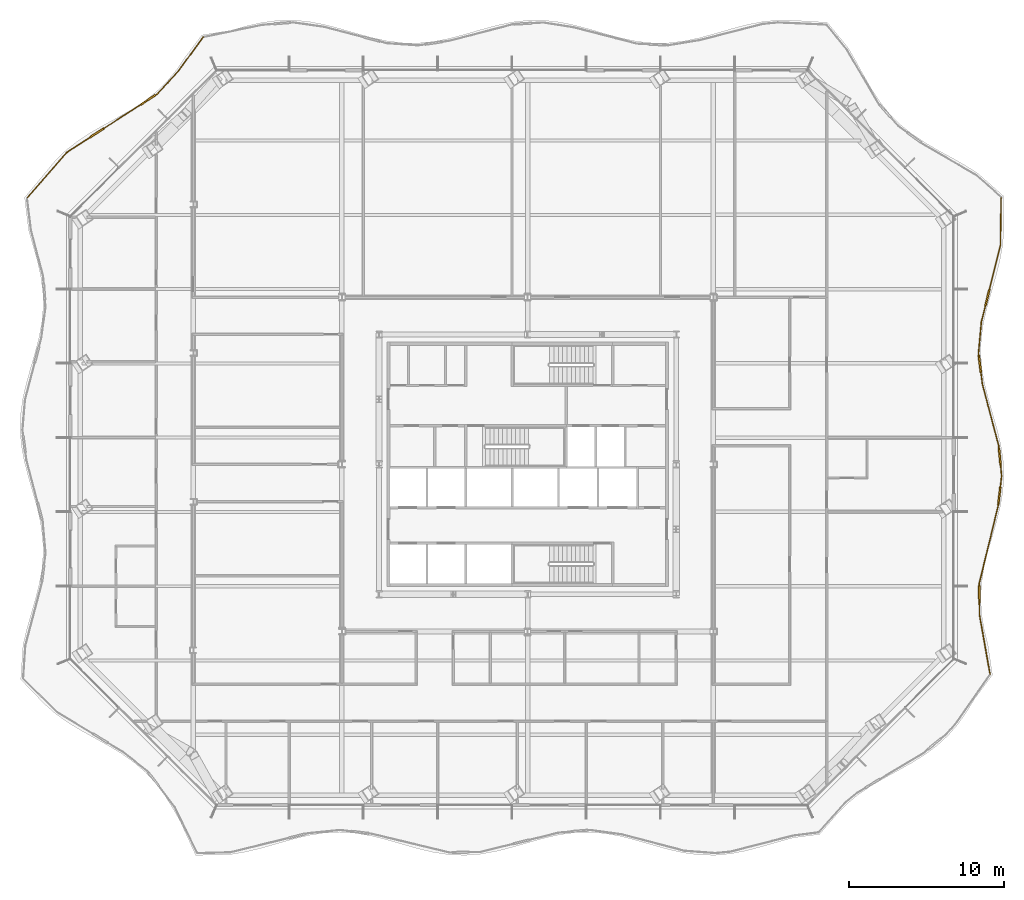
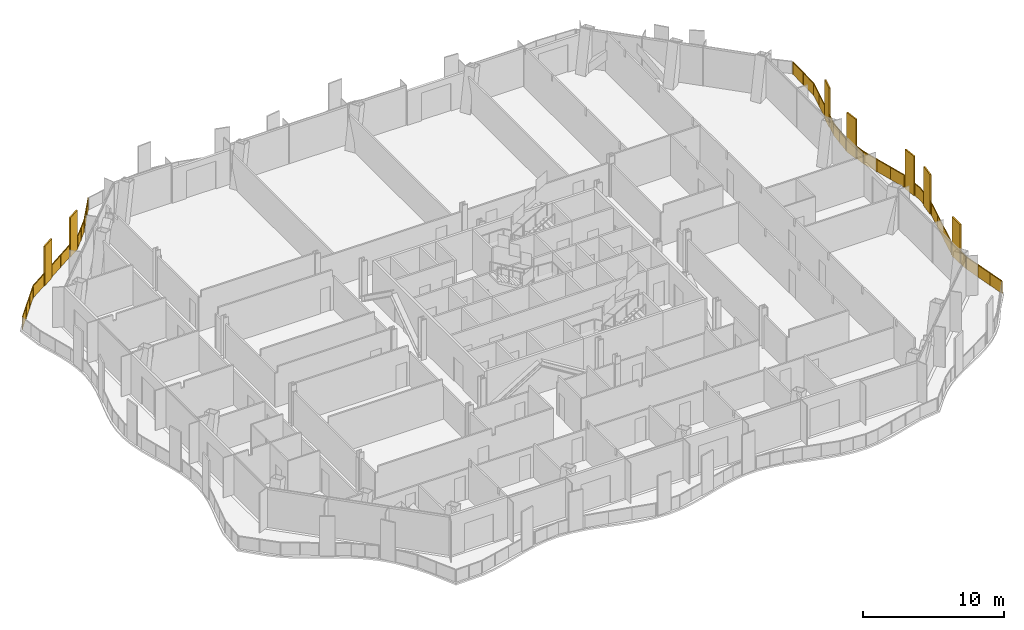
# One storey, part 19 of 21: 2 railings.
"""IFC4 building model written with IfcOpenShell, lengths in metres."""

from ifc_helpers import new_model, si_unit, direction, frame, origin, origin_2d, place, context, subcontext, project, spatial, polyline, rectangle, outline, extrude, material, type_object, element, save


model = new_model("IFC4")

# Units and contexts
model_context = context("Model", 3, precision=1e-05, world=origin(), true_north=direction((0.0, 1.0)))
body_context = subcontext(model_context, "Body", "Model", "MODEL_VIEW")
ifc_project = project(units=[si_unit("LENGTHUNIT", "METRE"), si_unit("AREAUNIT", "SQUARE_METRE"), si_unit("VOLUMEUNIT", "CUBIC_METRE"), si_unit("PLANEANGLEUNIT", "RADIAN"), si_unit("MASSUNIT", "GRAM", prefix="KILO")], contexts=[model_context])

# Site, building, storey
site_placement = place(None, origin())
site = spatial("IfcSite", under=ifc_project, at=site_placement, CompositionType="ELEMENT")
building_placement = place(site_placement, origin())
building = spatial("IfcBuilding", under=site, at=building_placement, Name="Cairn Pilgrim Tower", CompositionType="ELEMENT")
storey_placement = place(building_placement, frame((0.0, 0.0, 108.60009765625)))
storey = spatial("IfcBuildingStorey", under=building, at=storey_placement, Name="L26", CompositionType="ELEMENT", Elevation=108.60009765625)

# Railings
ifc_material = material(Name="Bronze anodised aluminium rail, posts and fin screens with laminated glass infill", Category="aluminium")
railing_type = type_object("IfcRailingType", Name="BALCONY GUARD WITH FIN SCREENS", PredefinedType="GUARDRAIL", material=ifc_material)
railing_1_placement = place(storey_placement, frame((37.090087890625, -11.172119140625, 0.0)))
element("IfcRailing", 1, at=railing_1_placement, inside=storey, type_object=railing_type, Name="Balcony guard BGF-3 with fin screens", PredefinedType="GUARDRAIL", context=body_context, shape_type="SweptSolid", body=[
    extrude(rectangle(XDim=0.050048828125, YDim=0.050048828125, at=origin_2d()), frame((0.0, 0.0, 1.0751953125), z_axis=(-0.17480693938, 0.984602728995, 0.0), x_axis=(-0.984602728995, -0.17480693938, 0.0)), (0.0, 0.0, 1.0), 3.926025390625),
    extrude(rectangle(XDim=1.10009765625, YDim=0.110107421875, at=origin_2d()), frame((-0.69384765625, 5.182861328125, 0.0), z_axis=(0.0, 0.0, 1.0), x_axis=(-0.005687226512, 0.999983827597, 0.0)), (0.0, 0.0, 1.0), 3.39990234375),
    extrude(rectangle(XDim=0.050048828125, YDim=0.050048828125, at=origin_2d()), frame((-0.686279296875, 3.865478515625, 1.0751953125), z_axis=(-0.005687226512, 0.999983827597, 0.0), x_axis=(-0.999983827597, -0.005687226512, 0.0)), (0.0, 0.0, 1.0), 0.767578125),
    extrude(rectangle(XDim=0.050048828125, YDim=0.050048828125, at=origin_2d()), frame((-0.697021484375, 5.73291015625, 1.0751953125), z_axis=(-0.005687226512, 0.999983827597, 0.0), x_axis=(-0.999983827597, -0.005687226512, 0.0)), (0.0, 0.0, 1.0), 0.150146484375),
    extrude(rectangle(XDim=0.050048828125, YDim=0.050048828125, at=origin_2d()), frame((-0.69775390625, 5.883056640625, 1.0751953125), z_axis=(0.236742126604, 0.971572521992, 0.0), x_axis=(-0.971572521992, 0.236742126604, 0.0)), (0.0, 0.0, 1.0), 5.1201171875),
    extrude(rectangle(XDim=1.10009765625, YDim=0.110107421875, at=origin_2d()), frame((0.597900390625, 11.552734375, 0.0), z_axis=(0.0, 0.0, 1.0), x_axis=(0.119271936699, 0.992861624355, 0.0)), (0.0, 0.0, 1.0), 3.39990234375),
    extrude(rectangle(XDim=0.050048828125, YDim=0.050048828125, at=origin_2d()), frame((0.514404296875, 10.857666015625, 1.0751953125), z_axis=(0.119271936699, 0.992861624355, 0.0), x_axis=(-0.992861624355, 0.119271936699, 0.0)), (0.0, 0.0, 1.0), 0.14990234375),
    extrude(rectangle(XDim=0.050048828125, YDim=0.050048828125, at=origin_2d()), frame((0.66357421875, 12.0986328125, 1.0751953125), z_axis=(0.119271936699, 0.992861624355, 0.0), x_axis=(-0.992861624355, 0.119271936699, 0.0)), (0.0, 0.0, 1.0), 0.725341796875),
    extrude(rectangle(XDim=1.10009765625, YDim=0.110107421875, at=origin_2d()), frame((0.62646484375, 14.079833984375, 0.0), z_axis=(0.0, 0.0, 1.0), x_axis=(-0.097549730914, 0.995230651657, 0.0)), (0.0, 0.0, 1.0), 3.39990234375),
    extrude(rectangle(XDim=0.050048828125, YDim=0.050048828125, at=origin_2d()), frame((0.75, 12.81884765625, 1.0751953125), z_axis=(-0.097549730914, 0.995230651657, 0.0), x_axis=(-0.995230651657, -0.097549730914, 0.0)), (0.0, 0.0, 1.0), 0.717041015625),
    extrude(rectangle(XDim=0.050048828125, YDim=0.050048828125, at=origin_2d()), frame((0.57275390625, 14.627197265625, 1.0751953125), z_axis=(-0.097549730914, 0.995230651657, 0.0), x_axis=(-0.995230651657, -0.097549730914, 0.0)), (0.0, 0.0, 1.0), 0.150146484375),
    extrude(rectangle(XDim=0.050048828125, YDim=0.050048828125, at=origin_2d()), frame((0.55810546875, 14.776611328125, 1.0751953125), z_axis=(-0.256286245796, 0.96660093121, 0.0), x_axis=(-0.96660093121, -0.256286245796, 0.0)), (0.0, 0.0, 1.0), 4.107666015625),
    extrude(rectangle(XDim=1.10009765625, YDim=0.110107421875, at=origin_2d()), frame((-0.660400390625, 20.06494140625, 0.0), z_axis=(0.0, 0.0, 1.0), x_axis=(-0.124819854402, 0.992179421248, 0.0)), (0.0, 0.0, 1.0), 3.39990234375),
    extrude(rectangle(XDim=0.050048828125, YDim=0.050048828125, at=origin_2d()), frame((-0.49462890625, 18.7470703125, 1.0751953125), z_axis=(-0.124819854402, 0.992179421248, 0.0), x_axis=(-0.992179421248, -0.124819854402, 0.0)), (0.0, 0.0, 1.0), 0.7783203125),
    extrude(rectangle(XDim=0.050048828125, YDim=0.050048828125, at=origin_2d()), frame((-0.72900390625, 20.610595703125, 1.0751953125), z_axis=(-0.124819854402, 0.992179421248, 0.0), x_axis=(-0.992179421248, -0.124819854402, 0.0)), (0.0, 0.0, 1.0), 0.150146484375),
    extrude(rectangle(XDim=0.050048828125, YDim=0.050048828125, at=origin_2d()), frame((-0.747802734375, 20.759521484375, 1.0751953125), z_axis=(0.091754854, 0.995781626044, 0.0), x_axis=(-0.995781626044, 0.091754854, 0.0)), (0.0, 0.0, 1.0), 2.022216796875),
    extrude(rectangle(XDim=1.10009765625, YDim=0.110107421875, at=origin_2d()), frame((-0.168701171875, 24.35888671875, 0.0), z_axis=(0.0, 0.0, 1.0), x_axis=(0.240871642741, 0.970556980153, 0.0)), (0.0, 0.0, 1.0), 3.39990234375),
    extrude(rectangle(XDim=0.050048828125, YDim=0.050048828125, at=origin_2d()), frame((-0.562255859375, 22.773193359375, 1.0751953125), z_axis=(0.240871642741, 0.970556980153, 0.0), x_axis=(-0.970556980153, 0.240871642741, 0.0)), (0.0, 0.0, 1.0), 1.083740234375),
    extrude(rectangle(XDim=0.050048828125, YDim=0.050048828125, at=origin_2d()), frame((-0.036376953125, 24.892578125, 1.0751953125), z_axis=(0.240871642741, 0.970556980153, 0.0), x_axis=(-0.970556980153, 0.240871642741, 0.0)), (0.0, 0.0, 1.0), 2.9267578125),
    extrude(rectangle(XDim=0.050048828125, YDim=0.050048828125, at=origin_2d()), frame((0.668701171875, 27.733154296875, 1.0751953125), z_axis=(0.015116032128, 0.999885746259, 0.0), x_axis=(-0.999885746259, 0.015116032128, 0.0)), (0.0, 0.0, 1.0), 3.068603515625),
    extrude(rectangle(XDim=0.050048828125, YDim=0.050048828125, at=origin_2d()), origin(), (0.0, 0.0, 1.0), 1.050048828125),
    extrude(rectangle(XDim=0.050048828125, YDim=0.050048828125, at=origin_2d()), frame((-0.228759765625, 1.28857421875, 0.0)), (0.0, 0.0, 1.0), 1.050048828125),
    extrude(rectangle(XDim=0.050048828125, YDim=0.050048828125, at=origin_2d()), frame((-0.45751953125, 2.576904296875, 0.0)), (0.0, 0.0, 1.0), 1.050048828125),
    extrude(rectangle(XDim=0.050048828125, YDim=0.050048828125, at=origin_2d()), frame((-0.686279296875, 3.865478515625, 0.0)), (0.0, 0.0, 1.0), 1.050048828125),
    extrude(rectangle(XDim=0.050048828125, YDim=0.050048828125, at=origin_2d()), frame((-0.6904296875, 4.60791015625, 0.0)), (0.0, 0.0, 1.0), 1.050048828125),
    extrude(rectangle(XDim=0.050048828125, YDim=0.050048828125, at=origin_2d()), frame((-0.697021484375, 5.758056640625, 0.0)), (0.0, 0.0, 1.0), 1.050048828125),
    extrude(rectangle(XDim=0.050048828125, YDim=0.050048828125, at=origin_2d()), frame((-0.69775390625, 5.883056640625, 0.0)), (0.0, 0.0, 1.0), 1.050048828125),
    extrude(rectangle(XDim=0.050048828125, YDim=0.050048828125, at=origin_2d()), frame((-0.293701171875, 7.541259765625, 0.0)), (0.0, 0.0, 1.0), 1.050048828125),
    extrude(rectangle(XDim=0.050048828125, YDim=0.050048828125, at=origin_2d()), frame((0.1103515625, 9.199462890625, 0.0)), (0.0, 0.0, 1.0), 1.050048828125),
    extrude(rectangle(XDim=0.050048828125, YDim=0.050048828125, at=origin_2d()), frame((0.514404296875, 10.857666015625, 0.0)), (0.0, 0.0, 1.0), 1.050048828125),
    extrude(rectangle(XDim=0.050048828125, YDim=0.050048828125, at=origin_2d()), frame((0.529296875, 10.981689453125, 0.0)), (0.0, 0.0, 1.0), 1.050048828125),
    extrude(rectangle(XDim=0.050048828125, YDim=0.050048828125, at=origin_2d()), frame((0.66650390625, 12.12353515625, 0.0)), (0.0, 0.0, 1.0), 1.050048828125),
    extrude(rectangle(XDim=0.050048828125, YDim=0.050048828125, at=origin_2d()), frame((0.75, 12.81884765625, 0.0)), (0.0, 0.0, 1.0), 1.050048828125),
    extrude(rectangle(XDim=0.050048828125, YDim=0.050048828125, at=origin_2d()), frame((0.6826171875, 13.507568359375, 0.0)), (0.0, 0.0, 1.0), 1.050048828125),
    extrude(rectangle(XDim=0.050048828125, YDim=0.050048828125, at=origin_2d()), frame((0.5703125, 14.652099609375, 0.0)), (0.0, 0.0, 1.0), 1.050048828125),
    extrude(rectangle(XDim=0.050048828125, YDim=0.050048828125, at=origin_2d()), frame((0.55810546875, 14.776611328125, 0.0)), (0.0, 0.0, 1.0), 1.050048828125),
    extrude(rectangle(XDim=0.050048828125, YDim=0.050048828125, at=origin_2d()), frame((0.207275390625, 16.10009765625, 0.0)), (0.0, 0.0, 1.0), 1.050048828125),
    extrude(rectangle(XDim=0.050048828125, YDim=0.050048828125, at=origin_2d()), frame((-0.143798828125, 17.423583984375, 0.0)), (0.0, 0.0, 1.0), 1.050048828125),
    extrude(rectangle(XDim=0.050048828125, YDim=0.050048828125, at=origin_2d()), frame((-0.49462890625, 18.7470703125, 0.0)), (0.0, 0.0, 1.0), 1.050048828125),
    extrude(rectangle(XDim=0.050048828125, YDim=0.050048828125, at=origin_2d()), frame((-0.588623046875, 19.494384765625, 0.0)), (0.0, 0.0, 1.0), 1.050048828125),
    extrude(rectangle(XDim=0.050048828125, YDim=0.050048828125, at=origin_2d()), frame((-0.732177734375, 20.635498046875, 0.0)), (0.0, 0.0, 1.0), 1.050048828125),
    extrude(rectangle(XDim=0.050048828125, YDim=0.050048828125, at=origin_2d()), frame((-0.747802734375, 20.759521484375, 0.0)), (0.0, 0.0, 1.0), 1.050048828125),
    extrude(rectangle(XDim=0.050048828125, YDim=0.050048828125, at=origin_2d()), frame((-0.655029296875, 21.766357421875, 0.0)), (0.0, 0.0, 1.0), 1.050048828125),
    extrude(rectangle(XDim=0.050048828125, YDim=0.050048828125, at=origin_2d()), frame((-0.562255859375, 22.773193359375, 0.0)), (0.0, 0.0, 1.0), 1.050048828125),
    extrude(rectangle(XDim=0.050048828125, YDim=0.050048828125, at=origin_2d()), frame((-0.30712890625, 23.80078125, 0.0)), (0.0, 0.0, 1.0), 1.050048828125),
    extrude(rectangle(XDim=0.050048828125, YDim=0.050048828125, at=origin_2d()), frame((-0.0302734375, 24.9169921875, 0.0)), (0.0, 0.0, 1.0), 1.050048828125),
    extrude(rectangle(XDim=0.050048828125, YDim=0.050048828125, at=origin_2d()), frame((0.3193359375, 26.324951171875, 0.0)), (0.0, 0.0, 1.0), 1.050048828125),
    extrude(rectangle(XDim=0.050048828125, YDim=0.050048828125, at=origin_2d()), frame((0.668701171875, 27.733154296875, 0.0)), (0.0, 0.0, 1.0), 1.050048828125),
    extrude(rectangle(XDim=0.050048828125, YDim=0.050048828125, at=origin_2d()), frame((0.69189453125, 29.267333984375, 0.0)), (0.0, 0.0, 1.0), 1.050048828125),
    extrude(rectangle(XDim=0.050048828125, YDim=0.050048828125, at=origin_2d()), frame((0.715087890625, 30.801513671875, 0.0)), (0.0, 0.0, 1.0), 1.050048828125),
    extrude(outline(polyline([(0.02490234375, 0.0), (1.28369140625, 0.0), (1.28369140625, 1.050048828125), (0.02490234375, 1.050048828125), (0.02490234375, 0.0)])), frame((-0.005859375, -0.0009765625, 0.0), z_axis=(0.984602728995, 0.17480693938, 0.0), x_axis=(-0.17480693938, 0.984602728995, 0.0)), (0.0, 0.0, 1.0), 0.011962890625),
    extrude(outline(polyline([(0.02490234375, 0.0), (1.28369140625, 0.0), (1.28369140625, 1.050048828125), (0.02490234375, 1.050048828125), (0.02490234375, 0.0)])), frame((-0.234619140625, 1.287353515625, 0.0), z_axis=(0.984602728995, 0.17480693938, 0.0), x_axis=(-0.17480693938, 0.984602728995, 0.0)), (0.0, 0.0, 1.0), 0.011962890625),
    extrude(outline(polyline([(0.02490234375, 0.0), (1.28369140625, 0.0), (1.28369140625, 1.050048828125), (0.02490234375, 1.050048828125), (0.02490234375, 0.0)])), frame((-0.46337890625, 2.575927734375, 0.0), z_axis=(0.984602728995, 0.17480693938, 0.0), x_axis=(-0.17480693938, 0.984602728995, 0.0)), (0.0, 0.0, 1.0), 0.011962890625),
    extrude(outline(polyline([(0.02490234375, 0.0), (0.717529296875, 0.0), (0.717529296875, 1.050048828125), (0.02490234375, 1.050048828125), (0.02490234375, 0.0)])), frame((-0.692138671875, 3.865478515625, 0.0), z_axis=(0.999983827597, 0.005687226512, 0.0), x_axis=(-0.005687226512, 0.999983827597, 0.0)), (0.0, 0.0, 1.0), 0.011962890625),
    extrude(outline(polyline([(0.02490234375, 0.0), (0.10009765625, 0.0), (0.10009765625, 1.050048828125), (0.02490234375, 1.050048828125), (0.02490234375, 0.0)])), frame((-0.703125, 5.7578125, 0.0), z_axis=(0.999983827597, 0.005687226512, 0.0), x_axis=(-0.005687226512, 0.999983827597, 0.0)), (0.0, 0.0, 1.0), 0.011962890625),
    extrude(outline(polyline([(0.02490234375, 0.0), (1.681640625, 0.0), (1.681640625, 1.050048828125), (0.02490234375, 1.050048828125), (0.02490234375, 0.0)])), frame((-0.70361328125, 5.884521484375, 0.0), z_axis=(0.971572521992, -0.236742126604, 0.0), x_axis=(0.236742126604, 0.971572521992, 0.0)), (0.0, 0.0, 1.0), 0.011962890625),
    extrude(outline(polyline([(0.02490234375, 0.0), (1.681640625, 0.0), (1.681640625, 1.050048828125), (0.02490234375, 1.050048828125), (0.02490234375, 0.0)])), frame((-0.299560546875, 7.542724609375, 0.0), z_axis=(0.971572521992, -0.236742126604, 0.0), x_axis=(0.236742126604, 0.971572521992, 0.0)), (0.0, 0.0, 1.0), 0.011962890625),
    extrude(outline(polyline([(0.02490234375, 0.0), (1.681640625, 0.0), (1.681640625, 1.050048828125), (0.02490234375, 1.050048828125), (0.02490234375, 0.0)])), frame((0.1044921875, 9.200927734375, 0.0), z_axis=(0.971572521992, -0.236742126604, 0.0), x_axis=(0.236742126604, 0.971572521992, 0.0)), (0.0, 0.0, 1.0), 0.011962890625),
    extrude(outline(polyline([(0.02490234375, 0.0), (0.099853515625, 0.0), (0.099853515625, 1.050048828125), (0.02490234375, 1.050048828125), (0.02490234375, 0.0)])), frame((0.508544921875, 10.8583984375, 0.0), z_axis=(0.992861624355, -0.119271936699, 0.0), x_axis=(0.119271936699, 0.992861624355, 0.0)), (0.0, 0.0, 1.0), 0.011962890625),
    extrude(outline(polyline([(0.02490234375, 0.0), (0.67529296875, 0.0), (0.67529296875, 1.050048828125), (0.02490234375, 1.050048828125), (0.02490234375, 0.0)])), frame((0.66064453125, 12.124267578125, 0.0), z_axis=(0.992861624355, -0.119271936699, 0.0), x_axis=(0.119271936699, 0.992861624355, 0.0)), (0.0, 0.0, 1.0), 0.011962890625),
    extrude(outline(polyline([(0.02490234375, 0.0), (0.6669921875, 0.0), (0.6669921875, 1.050048828125), (0.02490234375, 1.050048828125), (0.02490234375, 0.0)])), frame((0.744140625, 12.818359375, 0.0), z_axis=(0.995230651657, 0.097549730914, 0.0), x_axis=(-0.097549730914, 0.995230651657, 0.0)), (0.0, 0.0, 1.0), 0.011962890625),
    extrude(outline(polyline([(0.02490234375, 0.0), (0.10009765625, 0.0), (0.10009765625, 1.050048828125), (0.02490234375, 1.050048828125), (0.02490234375, 0.0)])), frame((0.564453125, 14.651611328125, 0.0), z_axis=(0.995230651657, 0.097549730914, 0.0), x_axis=(-0.097549730914, 0.995230651657, 0.0)), (0.0, 0.0, 1.0), 0.011962890625),
    extrude(outline(polyline([(0.02490234375, 0.0), (1.34423828125, 0.0), (1.34423828125, 1.050048828125), (0.02490234375, 1.050048828125), (0.02490234375, 0.0)])), frame((0.55224609375, 14.775146484375, 0.0), z_axis=(0.96660093121, 0.256286245796, 0.0), x_axis=(-0.256286245796, 0.96660093121, 0.0)), (0.0, 0.0, 1.0), 0.011962890625),
    extrude(outline(polyline([(0.02490234375, 0.0), (1.34423828125, 0.0), (1.34423828125, 1.050048828125), (0.02490234375, 1.050048828125), (0.02490234375, 0.0)])), frame((0.201416015625, 16.0986328125, 0.0), z_axis=(0.96660093121, 0.256286245796, 0.0), x_axis=(-0.256286245796, 0.96660093121, 0.0)), (0.0, 0.0, 1.0), 0.011962890625),
    extrude(outline(polyline([(0.02490234375, 0.0), (1.34423828125, 0.0), (1.34423828125, 1.050048828125), (0.02490234375, 1.050048828125), (0.02490234375, 0.0)])), frame((-0.1494140625, 17.422119140625, 0.0), z_axis=(0.96660093121, 0.256286245796, 0.0), x_axis=(-0.256286245796, 0.96660093121, 0.0)), (0.0, 0.0, 1.0), 0.011962890625),
    extrude(outline(polyline([(0.02490234375, 0.0), (0.728271484375, 0.0), (0.728271484375, 1.050048828125), (0.02490234375, 1.050048828125), (0.02490234375, 0.0)])), frame((-0.50048828125, 18.746337890625, 0.0), z_axis=(0.992179421248, 0.124819854402, 0.0), x_axis=(-0.124819854402, 0.992179421248, 0.0)), (0.0, 0.0, 1.0), 0.011962890625),
    extrude(outline(polyline([(0.02490234375, 0.0), (0.10009765625, 0.0), (0.10009765625, 1.050048828125), (0.02490234375, 1.050048828125), (0.02490234375, 0.0)])), frame((-0.738037109375, 20.634765625, 0.0), z_axis=(0.992179421248, 0.124819854402, 0.0), x_axis=(-0.124819854402, 0.992179421248, 0.0)), (0.0, 0.0, 1.0), 0.011962890625),
    extrude(outline(polyline([(0.02490234375, 0.0), (0.986083984375, 0.0), (0.986083984375, 1.050048828125), (0.02490234375, 1.050048828125), (0.02490234375, 0.0)])), frame((-0.753662109375, 20.760009765625, 0.0), z_axis=(0.995781626044, -0.091754854, 0.0), x_axis=(0.091754854, 0.995781626044, 0.0)), (0.0, 0.0, 1.0), 0.011962890625),
    extrude(outline(polyline([(0.02490234375, 0.0), (0.986083984375, 0.0), (0.986083984375, 1.050048828125), (0.02490234375, 1.050048828125), (0.02490234375, 0.0)])), frame((-0.660888671875, 21.766845703125, 0.0), z_axis=(0.995781626044, -0.091754854, 0.0), x_axis=(0.091754854, 0.995781626044, 0.0)), (0.0, 0.0, 1.0), 0.011962890625),
    extrude(outline(polyline([(0.02490234375, 0.0), (1.03369140625, 0.0), (1.03369140625, 1.050048828125), (0.02490234375, 1.050048828125), (0.02490234375, 0.0)])), frame((-0.568115234375, 22.774658203125, 0.0), z_axis=(0.970556980153, -0.240871642741, 0.0), x_axis=(0.240871642741, 0.970556980153, 0.0)), (0.0, 0.0, 1.0), 0.011962890625),
    extrude(outline(polyline([(0.02490234375, 0.0), (1.42578125, 0.0), (1.42578125, 1.050048828125), (0.02490234375, 1.050048828125), (0.02490234375, 0.0)])), frame((-0.0361328125, 24.918212890625, 0.0), z_axis=(0.970556980153, -0.240871642741, 0.0), x_axis=(0.240871642741, 0.970556980153, 0.0)), (0.0, 0.0, 1.0), 0.011962890625),
    extrude(outline(polyline([(0.02490234375, 0.0), (1.42578125, 0.0), (1.42578125, 1.050048828125), (0.02490234375, 1.050048828125), (0.02490234375, 0.0)])), frame((0.3134765625, 26.326416015625, 0.0), z_axis=(0.970556980153, -0.240871642741, 0.0), x_axis=(0.240871642741, 0.970556980153, 0.0)), (0.0, 0.0, 1.0), 0.011962890625),
    extrude(outline(polyline([(0.02490234375, 0.0), (1.50927734375, 0.0), (1.50927734375, 1.050048828125), (0.02490234375, 1.050048828125), (0.02490234375, 0.0)])), frame((0.662841796875, 27.733154296875, 0.0), z_axis=(0.999885746259, -0.015116032128, 0.0), x_axis=(0.015116032128, 0.999885746259, 0.0)), (0.0, 0.0, 1.0), 0.011962890625),
    extrude(outline(polyline([(0.02490234375, 0.0), (1.50927734375, 0.0), (1.50927734375, 1.050048828125), (0.02490234375, 1.050048828125), (0.02490234375, 0.0)])), frame((0.68603515625, 29.267333984375, 0.0), z_axis=(0.999885746259, -0.015116032128, 0.0), x_axis=(0.015116032128, 0.999885746259, 0.0)), (0.0, 0.0, 1.0), 0.011962890625),
])
railing_2_placement = place(storey_placement, frame((-13.7626953125, 30.024169921875, 0.0)))
element("IfcRailing", 2, at=railing_2_placement, inside=storey, type_object=railing_type, Name="Balcony guard BGF-6 with fin screens", PredefinedType="GUARDRAIL", context=body_context, shape_type="SweptSolid", body=[
    extrude(rectangle(XDim=0.050048828125, YDim=0.050048828125, at=origin_2d()), frame((0.0, 0.0, 1.0751953125), z_axis=(-0.589383446696, -0.807853422819, 0.0), x_axis=(0.807853422819, -0.589383446696, 0.0)), (0.0, 0.0, 1.0), 2.765869140625),
    extrude(rectangle(XDim=0.050048828125, YDim=0.050048828125, at=origin_2d()), frame((-1.630126953125, -2.234375, 1.0751953125), z_axis=(-0.679746766572, -0.733446885149, 0.0), x_axis=(0.733446885149, -0.679746766572, 0.0)), (0.0, 0.0, 1.0), 1.968505859375),
    extrude(rectangle(XDim=1.10009765625, YDim=0.110107421875, at=origin_2d()), frame((-3.555908203125, -4.05810546875, 0.0), z_axis=(0.0, 0.0, 1.0), x_axis=(-0.8398031786, -0.54289098465, 0.0)), (0.0, 0.0, 1.0), 3.39990234375),
    extrude(rectangle(XDim=1.10009765625, YDim=0.110107421875, at=origin_2d()), frame((-6.8896484375, -6.213134765625, 0.0), z_axis=(0.0, 0.0, 1.0), x_axis=(-0.8398031786, -0.54289098465, 0.0)), (0.0, 0.0, 1.0), 3.39990234375),
    extrude(rectangle(XDim=0.050048828125, YDim=0.050048828125, at=origin_2d()), frame((-2.96826171875, -3.67822265625, 1.0751953125), z_axis=(-0.8398031786, -0.54289098465, 0.0), x_axis=(0.54289098465, -0.8398031786, 0.0)), (0.0, 0.0, 1.0), 0.14990234375),
    extrude(rectangle(XDim=0.050048828125, YDim=0.050048828125, at=origin_2d()), frame((-4.017822265625, -4.356689453125, 1.0751953125), z_axis=(-0.8398031786, -0.54289098465, 0.0), x_axis=(0.54289098465, -0.8398031786, 0.0)), (0.0, 0.0, 1.0), 2.869384765625),
    extrude(rectangle(XDim=0.050048828125, YDim=0.050048828125, at=origin_2d()), frame((-7.3515625, -6.51171875, 1.0751953125), z_axis=(-0.8398031786, -0.54289098465, 0.0), x_axis=(0.54289098465, -0.8398031786, 0.0)), (0.0, 0.0, 1.0), 1.721435546875),
    extrude(rectangle(XDim=0.050048828125, YDim=0.050048828125, at=origin_2d()), frame((-8.797119140625, -7.4462890625, 1.0751953125), z_axis=(-0.657687032309, -0.753291289962, 0.0), x_axis=(0.753291289962, -0.657687032309, 0.0)), (0.0, 0.0, 1.0), 3.891845703125),
    extrude(rectangle(XDim=0.050048828125, YDim=0.050048828125, at=origin_2d()), origin(), (0.0, 0.0, 1.0), 1.050048828125),
    extrude(rectangle(XDim=0.050048828125, YDim=0.050048828125, at=origin_2d()), frame((-0.81494140625, -1.1171875, 0.0)), (0.0, 0.0, 1.0), 1.050048828125),
    extrude(rectangle(XDim=0.050048828125, YDim=0.050048828125, at=origin_2d()), frame((-1.630126953125, -2.234375, 0.0)), (0.0, 0.0, 1.0), 1.050048828125),
    extrude(rectangle(XDim=0.050048828125, YDim=0.050048828125, at=origin_2d()), frame((-2.29931640625, -2.956298828125, 0.0)), (0.0, 0.0, 1.0), 1.050048828125),
    extrude(rectangle(XDim=0.050048828125, YDim=0.050048828125, at=origin_2d()), frame((-2.96826171875, -3.67822265625, 0.0)), (0.0, 0.0, 1.0), 1.050048828125),
    extrude(rectangle(XDim=0.050048828125, YDim=0.050048828125, at=origin_2d()), frame((-3.072998046875, -3.745849609375, 0.0)), (0.0, 0.0, 1.0), 1.050048828125),
    extrude(rectangle(XDim=0.050048828125, YDim=0.050048828125, at=origin_2d()), frame((-4.038818359375, -4.370361328125, 0.0)), (0.0, 0.0, 1.0), 1.050048828125),
    extrude(rectangle(XDim=0.050048828125, YDim=0.050048828125, at=origin_2d()), frame((-5.22265625, -5.1357421875, 0.0)), (0.0, 0.0, 1.0), 1.050048828125),
    extrude(rectangle(XDim=0.050048828125, YDim=0.050048828125, at=origin_2d()), frame((-6.40673828125, -5.90087890625, 0.0)), (0.0, 0.0, 1.0), 1.050048828125),
    extrude(rectangle(XDim=0.050048828125, YDim=0.050048828125, at=origin_2d()), frame((-7.37255859375, -6.525390625, 0.0)), (0.0, 0.0, 1.0), 1.050048828125),
    extrude(rectangle(XDim=0.050048828125, YDim=0.050048828125, at=origin_2d()), frame((-8.797119140625, -7.4462890625, 0.0)), (0.0, 0.0, 1.0), 1.050048828125),
    extrude(rectangle(XDim=0.050048828125, YDim=0.050048828125, at=origin_2d()), frame((-9.650390625, -8.423583984375, 0.0)), (0.0, 0.0, 1.0), 1.050048828125),
    extrude(rectangle(XDim=0.050048828125, YDim=0.050048828125, at=origin_2d()), frame((-10.50341796875, -9.400634765625, 0.0)), (0.0, 0.0, 1.0), 1.050048828125),
    extrude(rectangle(XDim=0.050048828125, YDim=0.050048828125, at=origin_2d()), frame((-11.356689453125, -10.3779296875, 0.0)), (0.0, 0.0, 1.0), 1.050048828125),
    extrude(outline(polyline([(0.02490234375, 0.0), (1.35791015625, 0.0), (1.35791015625, 1.050048828125), (0.02490234375, 1.050048828125), (0.02490234375, 0.0)])), frame((0.0048828125, -0.00341796875, 0.0), z_axis=(-0.807853422819, 0.589383446696, 0.0), x_axis=(-0.589383446696, -0.807853422819, 0.0)), (0.0, 0.0, 1.0), 0.011962890625),
    extrude(outline(polyline([(0.02490234375, 0.0), (1.35791015625, 0.0), (1.35791015625, 1.050048828125), (0.02490234375, 1.050048828125), (0.02490234375, 0.0)])), frame((-0.810302734375, -1.12060546875, 0.0), z_axis=(-0.807853422819, 0.589383446696, 0.0), x_axis=(-0.589383446696, -0.807853422819, 0.0)), (0.0, 0.0, 1.0), 0.011962890625),
    extrude(outline(polyline([(0.02490234375, 0.0), (0.959228515625, 0.0), (0.959228515625, 1.050048828125), (0.02490234375, 1.050048828125), (0.02490234375, 0.0)])), frame((-1.625732421875, -2.238525390625, 0.0), z_axis=(-0.733446885149, 0.679746766572, 0.0), x_axis=(-0.679746766572, -0.733446885149, 0.0)), (0.0, 0.0, 1.0), 0.011962890625),
    extrude(outline(polyline([(0.02490234375, 0.0), (0.959228515625, 0.0), (0.959228515625, 1.050048828125), (0.02490234375, 1.050048828125), (0.02490234375, 0.0)])), frame((-2.294921875, -2.96044921875, 0.0), z_axis=(-0.733446885149, 0.679746766572, 0.0), x_axis=(-0.679746766572, -0.733446885149, 0.0)), (0.0, 0.0, 1.0), 0.011962890625),
    extrude(outline(polyline([(0.02490234375, 0.0), (0.099853515625, 0.0), (0.099853515625, 1.050048828125), (0.02490234375, 1.050048828125), (0.02490234375, 0.0)])), frame((-2.965087890625, -3.683349609375, 0.0), z_axis=(-0.54289098465, 0.8398031786, 0.0), x_axis=(-0.8398031786, -0.54289098465, 0.0)), (0.0, 0.0, 1.0), 0.011962890625),
    extrude(outline(polyline([(0.02490234375, 0.0), (1.384765625, 0.0), (1.384765625, 1.050048828125), (0.02490234375, 1.050048828125), (0.02490234375, 0.0)])), frame((-4.03564453125, -4.375244140625, 0.0), z_axis=(-0.54289098465, 0.8398031786, 0.0), x_axis=(-0.8398031786, -0.54289098465, 0.0)), (0.0, 0.0, 1.0), 0.011962890625),
    extrude(outline(polyline([(0.02490234375, 0.0), (1.384765625, 0.0), (1.384765625, 1.050048828125), (0.02490234375, 1.050048828125), (0.02490234375, 0.0)])), frame((-5.219482421875, -5.140625, 0.0), z_axis=(-0.54289098465, 0.8398031786, 0.0), x_axis=(-0.8398031786, -0.54289098465, 0.0)), (0.0, 0.0, 1.0), 0.011962890625),
    extrude(outline(polyline([(0.02490234375, 0.0), (1.67138671875, 0.0), (1.67138671875, 1.050048828125), (0.02490234375, 1.050048828125), (0.02490234375, 0.0)])), frame((-7.369140625, -6.5302734375, 0.0), z_axis=(-0.54289098465, 0.8398031786, 0.0), x_axis=(-0.8398031786, -0.54289098465, 0.0)), (0.0, 0.0, 1.0), 0.011962890625),
    extrude(outline(polyline([(0.02490234375, 0.0), (1.272216796875, 0.0), (1.272216796875, 1.050048828125), (0.02490234375, 1.050048828125), (0.02490234375, 0.0)])), frame((-8.792724609375, -7.4501953125, 0.0), z_axis=(-0.753291289962, 0.657687032309, 0.0), x_axis=(-0.657687032309, -0.753291289962, 0.0)), (0.0, 0.0, 1.0), 0.011962890625),
    extrude(outline(polyline([(0.02490234375, 0.0), (1.272216796875, 0.0), (1.272216796875, 1.050048828125), (0.02490234375, 1.050048828125), (0.02490234375, 0.0)])), frame((-9.645751953125, -8.427490234375, 0.0), z_axis=(-0.753291289962, 0.657687032309, 0.0), x_axis=(-0.657687032309, -0.753291289962, 0.0)), (0.0, 0.0, 1.0), 0.011962890625),
    extrude(outline(polyline([(0.02490234375, 0.0), (1.272216796875, 0.0), (1.272216796875, 1.050048828125), (0.02490234375, 1.050048828125), (0.02490234375, 0.0)])), frame((-10.4990234375, -9.404541015625, 0.0), z_axis=(-0.753291289962, 0.657687032309, 0.0), x_axis=(-0.657687032309, -0.753291289962, 0.0)), (0.0, 0.0, 1.0), 0.011962890625),
])

save(model, "model.ifc")
